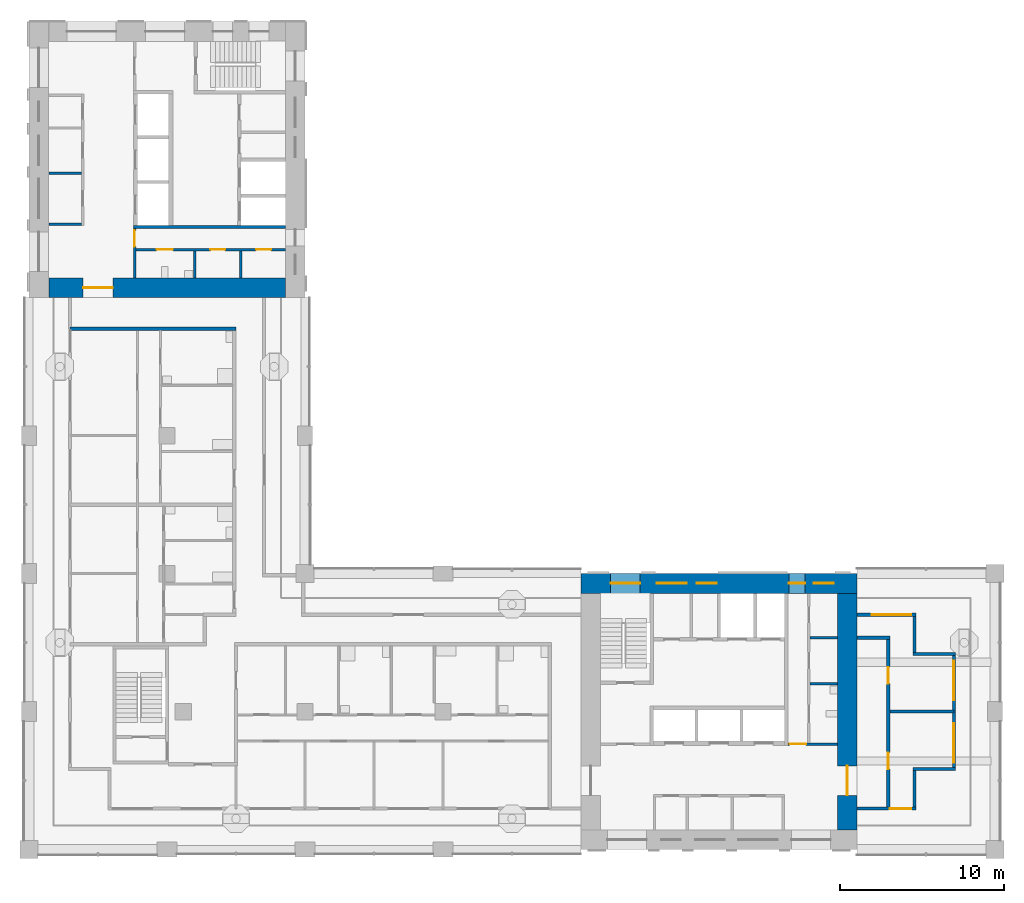
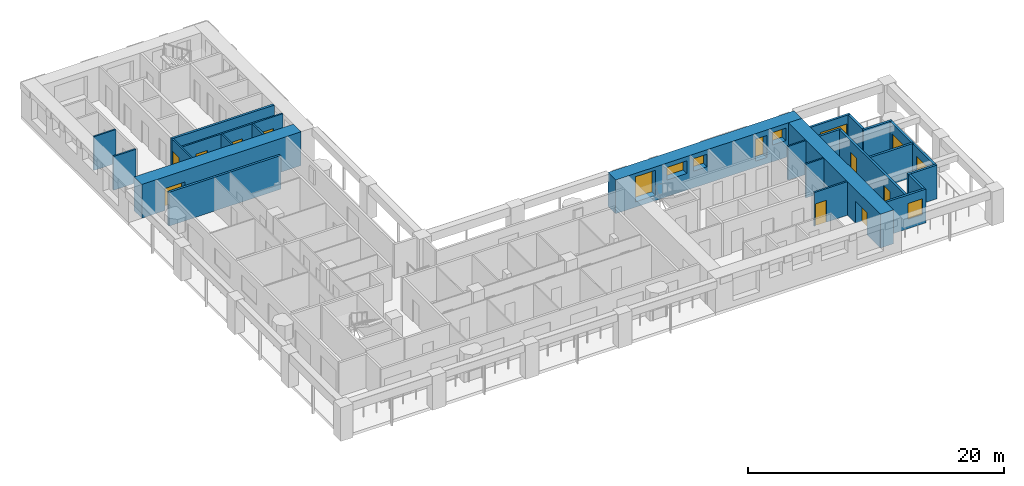
# One storey, part 5 of 13: 24 walls, 10 doors, 8 windows, 18 openings.
"""IFC4 building model written with IfcOpenShell, lengths in metres."""

from ifc_helpers import new_model, si_unit, direction, frame, frame_2d, origin, place, context, subcontext, project, spatial, rectangle, extrude, material, layer, layer_set, type_object, element, fill, save


model = new_model("IFC4")

# Units and contexts
model_context = context("Model", 3, precision=1e-05, world=origin(), true_north=direction((0.0, 1.0)))
body_context = subcontext(model_context, "Body", "Model", "MODEL_VIEW")
ifc_project = project(units=[si_unit("LENGTHUNIT", "METRE"), si_unit("AREAUNIT", "SQUARE_METRE"), si_unit("VOLUMEUNIT", "CUBIC_METRE"), si_unit("PLANEANGLEUNIT", "RADIAN"), si_unit("MASSUNIT", "GRAM", prefix="KILO")], contexts=[model_context])

# Site, building, storey
site_placement = place(None, origin())
site = spatial("IfcSite", under=ifc_project, at=site_placement, CompositionType="ELEMENT")
building_placement = place(site_placement, origin())
building = spatial("IfcBuilding", under=site, at=building_placement, Name="Vermilion Gate Residences", CompositionType="ELEMENT")
storey_placement = place(building_placement, frame((0.0, 0.0, 147.699951171875)))
storey = spatial("IfcBuildingStorey", under=building, at=storey_placement, Name="L37", CompositionType="ELEMENT", Elevation=147.699951171875)

# Wall, opening, door
ifc_material_1 = material(Name="Masonry blockwork", Category="masonry")
ifc_layer_1 = layer(ifc_material_1, 0.14990234375)
ifc_layer_set_1 = layer_set([ifc_layer_1], Name="BLOCKWORK PARTITION 150 EI 120")
wall_type_1 = type_object("IfcWallType", Name="BLOCKWORK PARTITION 150 EI 120", PredefinedType="PARTITIONING", material=ifc_layer_set_1)
wall_1_placement = place(storey_placement, frame((54.60009765625, 14.824951171875, 0.0), z_axis=(0.0, 0.0, 1.0), x_axis=(1.0, 0.0, 0.0)))
wall_1 = element("IfcWall", 1, at=wall_1_placement, inside=storey, type_object=wall_type_1, Name="Core room partition A37-ES-S", PredefinedType="PARTITIONING", context=body_context, shape_type="SweptSolid", body=[
    extrude(rectangle(XDim=3.0, YDim=0.14990234375, at=frame_2d((1.5, 0.0))), origin(), (0.0, 0.0, 1.0), 3.219970703125),
])
opening_1_placement = place(wall_1_placement, frame((0.10009765625, 0.0, 0.0)))
opening_1 = element("IfcOpeningElement", 2, at=opening_1_placement, cuts=wall_1, Name="Opening DK37015", PredefinedType="OPENING", context=body_context, shape_type="SweptSolid", body=[
    extrude(rectangle(XDim=1.0, YDim=2.10009765625, at=frame_2d((0.5, 1.050048828125))), frame((0.0, 0.0849609375, 0.0), z_axis=(0.0, -1.0, 0.0), x_axis=(1.0, 0.0, 0.0)), (0.0, 0.0, 1.0), 0.169921875),
])
ifc_material_2 = material(Name="Steel", Category="steel")
door_type_1 = type_object("IfcDoorType", Name="FIRE DOOR FD60 1000 X 2100", OperationType="SINGLE_SWING_LEFT", PredefinedType="DOOR", material=ifc_material_2)
door_1_placement = place(opening_1_placement, frame((1.0, 0.0, 0.0), z_axis=(0.0, 0.0, 1.0), x_axis=(-1.0, 0.0, 0.0)))
door_1 = element("IfcDoor", 3, at=door_1_placement, inside=storey, type_object=door_type_1, Name="Service corridor door A37", OperationType="SINGLE_SWING_LEFT", OverallHeight=2.10009765625, OverallWidth=1.0, PredefinedType="DOOR", context=body_context, shape_type="SweptSolid", body=[
    extrude(rectangle(XDim=1.0, YDim=2.10009765625, at=frame_2d((0.5, 1.050048828125))), frame((0.0, 0.02490234375, 0.0), z_axis=(0.0, -1.0, 0.0), x_axis=(1.0, 0.0, 0.0)), (0.0, 0.0, 1.0), 0.050048828125),
])
fill(opening_1, door_1)

# Walls
for number, where, z_axis, x_axis, name in (
    (4, (55.949951171875, 18.4951171875, 0.0), (0.0, 0.0, 1.0), (1.0, 0.0, 0.0), "Core room partition A37-ES-P0"),
    (5, (55.949951171875, 21.284912109375, 0.0), (0.0, 0.0, 1.0), (1.0, 0.0, 0.0), "Core room partition A37-ES-P1"),
):
    element("IfcWall", number, at=place(storey_placement, frame(where, z_axis=z_axis, x_axis=x_axis)), inside=storey, type_object=wall_type_1, Name=name, PredefinedType="PARTITIONING", context=body_context, shape_type="SweptSolid", body=[
        extrude(rectangle(XDim=1.650146484375, YDim=0.14990234375, at=frame_2d((0.8251953125, 0.0))), origin(), (0.0, 0.0, 1.0), 3.219970703125),
    ])
for number, where, z_axis, x_axis, name in (
    (6, (9.60009765625, 46.47509765625, 0.0), (0.0, 0.0, 1.0), (1.0, 0.0, 0.0), "Core room partition B37-RW-E"),
    (7, (9.60009765625, 49.5849609375, 0.0), (0.0, 0.0, 1.0), (1.0, 0.0, 0.0), "Core room partition B37-SR-P1"),
):
    element("IfcWall", number, at=place(storey_placement, frame(where, z_axis=z_axis, x_axis=x_axis)), inside=storey, type_object=wall_type_1, Name=name, PredefinedType="PARTITIONING", context=body_context, shape_type="SweptSolid", body=[
        extrude(rectangle(XDim=2.0, YDim=0.14990234375, at=frame_2d((1.0, 0.0))), origin(), (0.0, 0.0, 1.0), 3.219970703125),
    ])

# Wall, opening, door
wall_2_placement = place(storey_placement, frame((14.824951171875, 46.199951171875, 0.0), z_axis=(0.0, 0.0, 1.0), x_axis=(0.0, -1.0, 0.0)))
wall_2 = element("IfcWall", 8, at=wall_2_placement, inside=storey, type_object=wall_type_1, Name="Core room partition B37-ES-S", PredefinedType="PARTITIONING", context=body_context, shape_type="SweptSolid", body=[
    extrude(rectangle(XDim=3.0, YDim=0.14990234375, at=frame_2d((1.5, 0.0))), origin(), (0.0, 0.0, 1.0), 3.219970703125),
])
opening_2_placement = place(wall_2_placement, frame((0.10009765625, 0.0, 0.0)))
opening_2 = element("IfcOpeningElement", 9, at=opening_2_placement, cuts=wall_2, Name="Opening DK37114", PredefinedType="OPENING", context=body_context, shape_type="SweptSolid", body=[
    extrude(rectangle(XDim=1.0, YDim=2.10009765625, at=frame_2d((0.5, 1.050048828125))), frame((0.0, 0.0849609375, 0.0), z_axis=(0.0, -1.0, 0.0), x_axis=(1.0, 0.0, 0.0)), (0.0, 0.0, 1.0), 0.169921875),
])
door_2_placement = place(opening_2_placement, frame((1.0, 0.0, 0.0), z_axis=(0.0, 0.0, 1.0), x_axis=(-1.0, 0.0, 0.0)))
door_2 = element("IfcDoor", 10, at=door_2_placement, inside=storey, type_object=door_type_1, Name="Service corridor door B37", OperationType="SINGLE_SWING_LEFT", OverallHeight=2.10009765625, OverallWidth=1.0, PredefinedType="DOOR", context=body_context, shape_type="SweptSolid", body=[
    extrude(rectangle(XDim=1.0, YDim=2.10009765625, at=frame_2d((0.5, 1.050048828125))), frame((0.0, 0.02490234375, 0.0), z_axis=(0.0, -1.0, 0.0), x_axis=(1.0, 0.0, 0.0)), (0.0, 0.0, 1.0), 0.050048828125),
])
fill(opening_2, door_2)

# Walls
for number, where, z_axis, x_axis, name in (
    (11, (18.4951171875, 44.85009765625, 0.0), (0.0, 0.0, 1.0), (0.0, -1.0, 0.0), "Core room partition B37-ES-P0"),
    (12, (21.284912109375, 44.85009765625, 0.0), (0.0, 0.0, 1.0), (0.0, -1.0, 0.0), "Core room partition B37-ES-P1"),
):
    element("IfcWall", number, at=place(storey_placement, frame(where, z_axis=z_axis, x_axis=x_axis)), inside=storey, type_object=wall_type_1, Name=name, PredefinedType="PARTITIONING", context=body_context, shape_type="SweptSolid", body=[
        extrude(rectangle(XDim=1.650146484375, YDim=0.14990234375, at=frame_2d((0.8251953125, 0.0))), origin(), (0.0, 0.0, 1.0), 3.219970703125),
    ])

# Wall, openings, doors
wall_3_placement = place(storey_placement, frame((14.89990234375, 44.925048828125, 0.0), z_axis=(0.0, 0.0, 1.0), x_axis=(1.0, 0.0, 0.0)))
wall_3 = element("IfcWall", 13, at=wall_3_placement, inside=storey, type_object=wall_type_1, Name="Core room partition B37-ES-W", PredefinedType="PARTITIONING", context=body_context, shape_type="SweptSolid", body=[
    extrude(rectangle(XDim=9.10009765625, YDim=0.14990234375, at=frame_2d((4.550048828125, 0.0))), origin(), (0.0, 0.0, 1.0), 3.219970703125),
])
opening_3_placement = place(wall_3_placement, frame((1.260009765625, 0.0, 0.0)))
opening_3 = element("IfcOpeningElement", 14, at=opening_3_placement, cuts=wall_3, Name="Opening DK37115", PredefinedType="OPENING", context=body_context, shape_type="SweptSolid", body=[
    extrude(rectangle(XDim=1.0, YDim=2.10009765625, at=frame_2d((0.5, 1.050048828125))), frame((0.0, 0.0849609375, 0.0), z_axis=(0.0, -1.0, 0.0), x_axis=(1.0, 0.0, 0.0)), (0.0, 0.0, 1.0), 0.169921875),
])
opening_4_placement = place(wall_3_placement, frame((4.5400390625, 0.0, 0.0)))
opening_4 = element("IfcOpeningElement", 15, at=opening_4_placement, cuts=wall_3, Name="Opening DK37116", PredefinedType="OPENING", context=body_context, shape_type="SweptSolid", body=[
    extrude(rectangle(XDim=0.89990234375, YDim=2.10009765625, at=frame_2d((0.449951171875, 1.050048828125))), frame((0.0, 0.0849609375, 0.0), z_axis=(0.0, -1.0, 0.0), x_axis=(1.0, 0.0, 0.0)), (0.0, 0.0, 1.0), 0.169921875),
])
opening_5_placement = place(wall_3_placement, frame((7.330078125, 0.0, 0.0)))
opening_5 = element("IfcOpeningElement", 16, at=opening_5_placement, cuts=wall_3, Name="Opening DK37117", PredefinedType="OPENING", context=body_context, shape_type="SweptSolid", body=[
    extrude(rectangle(XDim=0.89990234375, YDim=2.10009765625, at=frame_2d((0.449951171875, 1.050048828125))), frame((0.0, 0.0849609375, 0.0), z_axis=(0.0, -1.0, 0.0), x_axis=(1.0, 0.0, 0.0)), (0.0, 0.0, 1.0), 0.169921875),
])
door_3_placement = place(opening_3_placement, frame((1.0, 0.0, 0.0), z_axis=(0.0, 0.0, 1.0), x_axis=(-1.0, 0.0, 0.0)))
door_3 = element("IfcDoor", 17, at=door_3_placement, inside=storey, type_object=door_type_1, Name="Accessible WC B37", OperationType="SINGLE_SWING_RIGHT", OverallHeight=2.10009765625, OverallWidth=1.0, PredefinedType="DOOR", context=body_context, shape_type="SweptSolid", body=[
    extrude(rectangle(XDim=1.0, YDim=2.10009765625, at=frame_2d((0.5, 1.050048828125))), frame((0.0, 0.02490234375, 0.0), z_axis=(0.0, -1.0, 0.0), x_axis=(1.0, 0.0, 0.0)), (0.0, 0.0, 1.0), 0.050048828125),
])
fill(opening_3, door_3)
ifc_material_3 = material(Name="Steel", Category="steel")
door_type_2 = type_object("IfcDoorType", Name="SERVICE ROOM DOOR FD60 900 X 2100", OperationType="SINGLE_SWING_LEFT", PredefinedType="DOOR", material=ifc_material_3)
door_4_placement = place(opening_4_placement, frame((0.89990234375, 0.0, 0.0), z_axis=(0.0, 0.0, 1.0), x_axis=(-1.0, 0.0, 0.0)))
door_4 = element("IfcDoor", 18, at=door_4_placement, inside=storey, type_object=door_type_2, Name="Refuse room B37", OperationType="SINGLE_SWING_RIGHT", OverallHeight=2.10009765625, OverallWidth=0.89990234375, PredefinedType="DOOR", context=body_context, shape_type="SweptSolid", body=[
    extrude(rectangle(XDim=0.89990234375, YDim=2.10009765625, at=frame_2d((0.449951171875, 1.050048828125))), frame((0.0, 0.02490234375, 0.0), z_axis=(0.0, -1.0, 0.0), x_axis=(1.0, 0.0, 0.0)), (0.0, 0.0, 1.0), 0.050048828125),
])
fill(opening_4, door_4)
door_5_placement = place(opening_5_placement, frame((0.89990234375, 0.0, 0.0), z_axis=(0.0, 0.0, 1.0), x_axis=(-1.0, 0.0, 0.0)))
door_5 = element("IfcDoor", 19, at=door_5_placement, inside=storey, type_object=door_type_2, Name="Parcel room B37", OperationType="SINGLE_SWING_LEFT", OverallHeight=2.10009765625, OverallWidth=0.89990234375, PredefinedType="DOOR", context=body_context, shape_type="SweptSolid", body=[
    extrude(rectangle(XDim=0.89990234375, YDim=2.10009765625, at=frame_2d((0.449951171875, 1.050048828125))), frame((0.0, 0.02490234375, 0.0), z_axis=(0.0, -1.0, 0.0), x_axis=(1.0, 0.0, 0.0)), (0.0, 0.0, 1.0), 0.050048828125),
])
fill(opening_5, door_5)

# Wall, opening, window
ifc_material_4 = material(Name="Insulated steel stud wall with terracotta rainscreen", Category="masonry")
ifc_layer_2 = layer(ifc_material_4, 0.199951171875)
ifc_layer_set_2 = layer_set([ifc_layer_2], Name="EXTERNAL WALL 200 TERRACOTTA RAINSCREEN")
wall_type_2 = type_object("IfcWallType", Name="EXTERNAL WALL 200 TERRACOTTA RAINSCREEN", PredefinedType="SOLIDWALL", material=ifc_layer_set_2)
wall_4_placement = place(storey_placement, frame((58.800048828125, 10.89990234375, 0.0), z_axis=(0.0, 0.0, 1.0), x_axis=(1.0, 0.0, 0.0)))
wall_4 = element("IfcWall", 20, at=wall_4_placement, inside=storey, type_object=wall_type_2, Name="External wall", PredefinedType="SOLIDWALL", context=body_context, shape_type="SweptSolid", body=[
    extrude(rectangle(XDim=3.599853515625, YDim=0.199951171875, at=frame_2d((1.7998046875, 0.0))), origin(), (0.0, 0.0, 1.0), 3.219970703125),
])
opening_6_placement = place(wall_4_placement, frame((2.0, 0.0, 0.89990234375)))
opening_6 = element("IfcOpeningElement", 21, at=opening_6_placement, cuts=wall_4, Name="Opening WE37015", PredefinedType="OPENING", context=body_context, shape_type="SweptSolid", body=[
    extrude(rectangle(XDim=1.300048828125, YDim=1.5, at=frame_2d((0.64990234375, 0.75))), frame((0.0, 0.10986328125, 0.0), z_axis=(0.0, -1.0, 0.0), x_axis=(1.0, 0.0, 0.0)), (0.0, 0.0, 1.0), 0.219970703125),
])
ifc_material_5 = material(Name="Aluminium and clear glass", Category="aluminium")
window_type_1 = type_object("IfcWindowType", Name="WINDOW 1300 X 1500", PartitioningType="SINGLE_PANEL", PredefinedType="WINDOW", material=ifc_material_5)
window_1_placement = place(opening_6_placement, origin())
window_1 = element("IfcWindow", 22, at=window_1_placement, inside=storey, type_object=window_type_1, Name="Window", OverallHeight=1.5, OverallWidth=1.300048828125, PartitioningType="SINGLE_PANEL", PredefinedType="WINDOW", context=body_context, shape_type="SweptSolid", body=[
    extrude(rectangle(XDim=1.300048828125, YDim=1.5, at=frame_2d((0.64990234375, 0.75))), frame((0.0, 0.030029296875, 0.0), z_axis=(0.0, -1.0, 0.0), x_axis=(1.0, 0.0, 0.0)), (0.0, 0.0, 1.0), 0.06005859375),
])
fill(opening_6, window_1)

# Walls
wall_5_placement = place(storey_placement, frame((62.300048828125, 11.0, 0.0), z_axis=(0.0, 0.0, 1.0), x_axis=(0.0, 1.0, 0.0)))
element("IfcWall", 23, at=wall_5_placement, inside=storey, type_object=wall_type_2, Name="External wall", PredefinedType="SOLIDWALL", context=body_context, shape_type="SweptSolid", body=[
    extrude(rectangle(XDim=2.199951171875, YDim=0.199951171875, at=frame_2d((1.10009765625, 0.0))), origin(), (0.0, 0.0, 1.0), 3.219970703125),
])
wall_6_placement = place(storey_placement, frame((62.199951171875, 13.300048828125, 0.0), z_axis=(0.0, 0.0, 1.0), x_axis=(1.0, 0.0, 0.0)))
element("IfcWall", 24, at=wall_6_placement, inside=storey, type_object=wall_type_2, Name="External wall", PredefinedType="SOLIDWALL", context=body_context, shape_type="SweptSolid", body=[
    extrude(rectangle(XDim=2.60009765625, YDim=0.199951171875, at=frame_2d((1.300048828125, 0.0))), origin(), (0.0, 0.0, 1.0), 3.219970703125),
])

# Wall, openings, door, window
wall_7_placement = place(storey_placement, frame((64.699951171875, 13.39990234375, 0.0), z_axis=(0.0, 0.0, 1.0), x_axis=(0.0, 1.0, 0.0)))
wall_7 = element("IfcWall", 25, at=wall_7_placement, inside=storey, type_object=wall_type_2, Name="External wall", PredefinedType="SOLIDWALL", context=body_context, shape_type="SweptSolid", body=[
    extrude(rectangle(XDim=6.800048828125, YDim=0.199951171875, at=frame_2d((3.39990234375, 0.0))), origin(), (0.0, 0.0, 1.0), 3.219970703125),
])
opening_7_placement = place(wall_7_placement, frame((0.300048828125, 0.0, 0.89990234375)))
opening_7 = element("IfcOpeningElement", 26, at=opening_7_placement, cuts=wall_7, Name="Opening WE37016", PredefinedType="OPENING", context=body_context, shape_type="SweptSolid", body=[
    extrude(rectangle(XDim=2.39990234375, YDim=1.5, at=frame_2d((1.199951171875, 0.75))), frame((0.0, 0.10986328125, 0.0), z_axis=(0.0, -1.0, 0.0), x_axis=(1.0, 0.0, 0.0)), (0.0, 0.0, 1.0), 0.219970703125),
])
opening_8_placement = place(wall_7_placement, frame((4.10009765625, 0.0, 0.0)))
opening_8 = element("IfcOpeningElement", 27, at=opening_8_placement, cuts=wall_7, Name="Opening DE37019", PredefinedType="OPENING", context=body_context, shape_type="SweptSolid", body=[
    extrude(rectangle(XDim=2.39990234375, YDim=2.199951171875, at=frame_2d((1.199951171875, 1.10009765625))), frame((0.0, 0.10986328125, 0.0), z_axis=(0.0, -1.0, 0.0), x_axis=(1.0, 0.0, 0.0)), (0.0, 0.0, 1.0), 0.219970703125),
])
ifc_material_6 = material(Name="Aluminium and clear glass", Category="aluminium")
door_type_3 = type_object("IfcDoorType", Name="SLIDING GLAZED DOOR 2400 X 2200", OperationType="DOUBLE_DOOR_SLIDING", PredefinedType="DOOR", material=ifc_material_6)
door_6_placement = place(opening_8_placement, origin())
door_6 = element("IfcDoor", 28, at=door_6_placement, inside=storey, type_object=door_type_3, Name="Loggia sliding door", OperationType="DOUBLE_DOOR_SLIDING", OverallHeight=2.199951171875, OverallWidth=2.39990234375, PredefinedType="DOOR", context=body_context, shape_type="SweptSolid", body=[
    extrude(rectangle(XDim=2.39990234375, YDim=2.199951171875, at=frame_2d((1.199951171875, 1.10009765625))), frame((0.0, 0.02490234375, 0.0), z_axis=(0.0, -1.0, 0.0), x_axis=(1.0, 0.0, 0.0)), (0.0, 0.0, 1.0), 0.050048828125),
])
fill(opening_8, door_6)
ifc_material_7 = material(Name="Aluminium and clear glass", Category="aluminium")
window_type_2 = type_object("IfcWindowType", Name="WINDOW 2400 X 1500", PartitioningType="SINGLE_PANEL", PredefinedType="WINDOW", material=ifc_material_7)
window_2_placement = place(opening_7_placement, origin())
window_2 = element("IfcWindow", 29, at=window_2_placement, inside=storey, type_object=window_type_2, Name="Window", OverallHeight=1.5, OverallWidth=2.39990234375, PartitioningType="SINGLE_PANEL", PredefinedType="WINDOW", context=body_context, shape_type="SweptSolid", body=[
    extrude(rectangle(XDim=2.39990234375, YDim=1.5, at=frame_2d((1.199951171875, 0.75))), frame((0.0, 0.030029296875, 0.0), z_axis=(0.0, -1.0, 0.0), x_axis=(1.0, 0.0, 0.0)), (0.0, 0.0, 1.0), 0.06005859375),
])
fill(opening_7, window_2)

# Walls
wall_8_placement = place(storey_placement, frame((64.800048828125, 20.300048828125, 0.0), z_axis=(0.0, 0.0, 1.0), x_axis=(-1.0, 0.0, 0.0)))
element("IfcWall", 30, at=wall_8_placement, inside=storey, type_object=wall_type_2, Name="External wall", PredefinedType="SOLIDWALL", context=body_context, shape_type="SweptSolid", body=[
    extrude(rectangle(XDim=2.60009765625, YDim=0.199951171875, at=frame_2d((1.300048828125, 0.0))), origin(), (0.0, 0.0, 1.0), 3.219970703125),
])
wall_9_placement = place(storey_placement, frame((62.300048828125, 20.39990234375, 0.0), z_axis=(0.0, 0.0, 1.0), x_axis=(0.0, 1.0, 0.0)))
element("IfcWall", 31, at=wall_9_placement, inside=storey, type_object=wall_type_2, Name="External wall", PredefinedType="SOLIDWALL", context=body_context, shape_type="SweptSolid", body=[
    extrude(rectangle(XDim=2.2001953125, YDim=0.199951171875, at=frame_2d((1.10009765625, 0.0))), origin(), (0.0, 0.0, 1.0), 3.219970703125),
])

# Wall, opening, window
wall_10_placement = place(storey_placement, frame((62.39990234375, 22.699951171875, 0.0), z_axis=(0.0, 0.0, 1.0), x_axis=(-1.0, 0.0, 0.0)))
wall_10 = element("IfcWall", 32, at=wall_10_placement, inside=storey, type_object=wall_type_2, Name="External wall", PredefinedType="SOLIDWALL", context=body_context, shape_type="SweptSolid", body=[
    extrude(rectangle(XDim=3.599853515625, YDim=0.199951171875, at=frame_2d((1.7998046875, 0.0))), origin(), (0.0, 0.0, 1.0), 3.219970703125),
])
opening_9_placement = place(wall_10_placement, frame((0.300048828125, 0.0, 0.89990234375)))
opening_9 = element("IfcOpeningElement", 33, at=opening_9_placement, cuts=wall_10, Name="Opening WE37018", PredefinedType="OPENING", context=body_context, shape_type="SweptSolid", body=[
    extrude(rectangle(XDim=2.39990234375, YDim=1.5, at=frame_2d((1.199951171875, 0.75))), frame((0.0, 0.10986328125, 0.0), z_axis=(0.0, -1.0, 0.0), x_axis=(1.0, 0.0, 0.0)), (0.0, 0.0, 1.0), 0.219970703125),
])
window_3_placement = place(opening_9_placement, origin())
window_3 = element("IfcWindow", 34, at=window_3_placement, inside=storey, type_object=window_type_2, Name="Window", OverallHeight=1.5, OverallWidth=2.39990234375, PartitioningType="SINGLE_PANEL", PredefinedType="WINDOW", context=body_context, shape_type="SweptSolid", body=[
    extrude(rectangle(XDim=2.39990234375, YDim=1.5, at=frame_2d((1.199951171875, 0.75))), frame((0.0, 0.030029296875, 0.0), z_axis=(0.0, -1.0, 0.0), x_axis=(1.0, 0.0, 0.0)), (0.0, 0.0, 1.0), 0.06005859375),
])
fill(opening_9, window_3)

# Walls
ifc_material_8 = material(Name="Fire-rated plasterboard on steel studs", Category="steel")
ifc_layer_3 = layer(ifc_material_8, 0.199951171875)
ifc_layer_set_3 = layer_set([ifc_layer_3], Name="PARTY WALL 200 EI 120")
wall_type_3 = type_object("IfcWallType", Name="PARTY WALL 200 EI 120", PredefinedType="PARTITIONING", material=ifc_layer_set_3)
wall_11_placement = place(storey_placement, frame((60.800048828125, 16.800048828125, 0.0), z_axis=(0.0, 0.0, 1.0), x_axis=(1.0, 0.0, 0.0)))
element("IfcWall", 35, at=wall_11_placement, inside=storey, type_object=wall_type_3, Name="Party and corridor wall", PredefinedType="PARTITIONING", context=body_context, shape_type="SweptSolid", body=[
    extrude(rectangle(XDim=3.89990234375, YDim=0.199951171875, at=frame_2d((1.949951171875, 0.0))), origin(), (0.0, 0.0, 1.0), 3.219970703125),
])
wall_12_placement = place(storey_placement, frame((58.800048828125, 21.300048828125, 0.0), z_axis=(0.0, 0.0, 1.0), x_axis=(1.0, 0.0, 0.0)))
element("IfcWall", 36, at=wall_12_placement, inside=storey, type_object=wall_type_3, Name="Party and corridor wall", PredefinedType="PARTITIONING", context=body_context, shape_type="SweptSolid", body=[
    extrude(rectangle(XDim=2.0, YDim=0.199951171875, at=frame_2d((1.0, 0.0))), origin(), (0.0, 0.0, 1.0), 3.219970703125),
])
wall_13_placement = place(storey_placement, frame((10.89990234375, 40.10009765625, 0.0), z_axis=(0.0, 0.0, 1.0), x_axis=(1.0, 0.0, 0.0)))
element("IfcWall", 37, at=wall_13_placement, inside=storey, type_object=wall_type_3, Name="Party and corridor wall", PredefinedType="PARTITIONING", context=body_context, shape_type="SweptSolid", body=[
    extrude(rectangle(XDim=10.10009765625, YDim=0.199951171875, at=frame_2d((5.050048828125, 0.0))), origin(), (0.0, 0.0, 1.0), 3.219970703125),
])

# Wall, openings, doors
wall_14_placement = place(storey_placement, frame((60.699951171875, 10.89990234375, 0.0), z_axis=(0.0, 0.0, 1.0), x_axis=(0.0, 1.0, 0.0)))
wall_14 = element("IfcWall", 38, at=wall_14_placement, inside=storey, type_object=wall_type_3, Name="Party and corridor wall", PredefinedType="PARTITIONING", context=body_context, shape_type="SweptSolid", body=[
    extrude(rectangle(XDim=10.300048828125, YDim=0.199951171875, at=frame_2d((5.14990234375, 0.0))), origin(), (0.0, 0.0, 1.0), 3.219970703125),
])
opening_10_placement = place(wall_14_placement, frame((2.39990234375, 0.0, 0.0)))
opening_10 = element("IfcOpeningElement", 39, at=opening_10_placement, cuts=wall_14, Name="Opening DA37026", PredefinedType="OPENING", context=body_context, shape_type="SweptSolid", body=[
    extrude(rectangle(XDim=1.0, YDim=2.10009765625, at=frame_2d((0.5, 1.050048828125))), frame((0.0, 0.10986328125, 0.0), z_axis=(0.0, -1.0, 0.0), x_axis=(1.0, 0.0, 0.0)), (0.0, 0.0, 1.0), 0.219970703125),
])
opening_11_placement = place(wall_14_placement, frame((7.60009765625, 0.0, 0.0)))
opening_11 = element("IfcOpeningElement", 40, at=opening_11_placement, cuts=wall_14, Name="Opening DA37027", PredefinedType="OPENING", context=body_context, shape_type="SweptSolid", body=[
    extrude(rectangle(XDim=1.0, YDim=2.10009765625, at=frame_2d((0.5, 1.050048828125))), frame((0.0, 0.10986328125, 0.0), z_axis=(0.0, -1.0, 0.0), x_axis=(1.0, 0.0, 0.0)), (0.0, 0.0, 1.0), 0.219970703125),
])
ifc_material_9 = material(Name="Steel", Category="steel")
door_type_4 = type_object("IfcDoorType", Name="ENTRANCE DOOR 1000 X 2100 FD30", OperationType="SINGLE_SWING_LEFT", PredefinedType="DOOR", material=ifc_material_9)
door_7_placement = place(opening_10_placement, frame((1.0, 0.0, 0.0), z_axis=(0.0, 0.0, 1.0), x_axis=(-1.0, 0.0, 0.0)))
door_7 = element("IfcDoor", 41, at=door_7_placement, inside=storey, type_object=door_type_4, Name="Entrance door", OperationType="SINGLE_SWING_RIGHT", OverallHeight=2.10009765625, OverallWidth=1.0, PredefinedType="DOOR", context=body_context, shape_type="SweptSolid", body=[
    extrude(rectangle(XDim=1.0, YDim=2.10009765625, at=frame_2d((0.5, 1.050048828125))), frame((0.0, 0.02490234375, 0.0), z_axis=(0.0, -1.0, 0.0), x_axis=(1.0, 0.0, 0.0)), (0.0, 0.0, 1.0), 0.050048828125),
])
fill(opening_10, door_7)
door_8_placement = place(opening_11_placement, frame((1.0, 0.0, 0.0), z_axis=(0.0, 0.0, 1.0), x_axis=(-1.0, 0.0, 0.0)))
door_8 = element("IfcDoor", 42, at=door_8_placement, inside=storey, type_object=door_type_4, Name="Entrance door", OperationType="SINGLE_SWING_RIGHT", OverallHeight=2.10009765625, OverallWidth=1.0, PredefinedType="DOOR", context=body_context, shape_type="SweptSolid", body=[
    extrude(rectangle(XDim=1.0, YDim=2.10009765625, at=frame_2d((0.5, 1.050048828125))), frame((0.0, 0.02490234375, 0.0), z_axis=(0.0, -1.0, 0.0), x_axis=(1.0, 0.0, 0.0)), (0.0, 0.0, 1.0), 0.050048828125),
])
fill(opening_11, door_8)

# Wall
ifc_material_10 = material(Name="Concrete C60", Category="concrete")
ifc_layer_4 = layer(ifc_material_10, 0.199951171875)
ifc_layer_set_4 = layer_set([ifc_layer_4], Name="RC CORE INTERNAL WALL 200 C60")
wall_type_4 = type_object("IfcWallType", Name="RC CORE INTERNAL WALL 200 C60", PredefinedType="SHEAR", material=ifc_layer_set_4)
wall_15_placement = place(storey_placement, frame((14.75, 46.300048828125, 0.0), z_axis=(0.0, 0.0, 1.0), x_axis=(1.0, 0.0, 0.0)))
element("IfcWall", 43, at=wall_15_placement, inside=storey, type_object=wall_type_4, Name="Core internal wall B37-EDIV", PredefinedType="SHEAR", context=body_context, shape_type="SweptSolid", body=[
    extrude(rectangle(XDim=9.25, YDim=0.199951171875, at=frame_2d((4.625, 0.0))), origin(), (0.0, 0.0, 1.0), 3.219970703125),
])

# Wall, opening, door
ifc_material_11 = material(Name="Concrete C60", Category="concrete")
ifc_layer_5 = layer(ifc_material_11, 1.199951171875)
ifc_layer_set_5 = layer_set([ifc_layer_5], Name="RC CORE WALL 1200 C60")
wall_type_5 = type_object("IfcWallType", Name="RC CORE WALL 1200 C60", PredefinedType="SHEAR", material=ifc_layer_set_5)
wall_16_placement = place(storey_placement, frame((58.199951171875, 9.60009765625, 0.0), z_axis=(0.0, 0.0, 1.0), x_axis=(0.0, 1.0, 0.0)))
wall_16 = element("IfcWall", 44, at=wall_16_placement, inside=storey, type_object=wall_type_5, Name="Core wall A37-OUT-BK", PredefinedType="SHEAR", context=body_context, shape_type="SweptSolid", body=[
    extrude(rectangle(XDim=14.39990234375, YDim=1.199951171875, at=frame_2d((7.199951171875, 0.0))), origin(), (0.0, 0.0, 1.0), 3.219970703125),
])
opening_12_placement = place(wall_16_placement, frame((2.10009765625, 0.0, 0.0)))
opening_12 = element("IfcOpeningElement", 45, at=opening_12_placement, cuts=wall_16, Name="Opening DK37002", PredefinedType="OPENING", context=body_context, shape_type="SweptSolid", body=[
    extrude(rectangle(XDim=1.800048828125, YDim=2.10009765625, at=frame_2d((0.89990234375, 1.050048828125))), frame((0.0, 0.60986328125, 0.0), z_axis=(0.0, -1.0, 0.0), x_axis=(1.0, 0.0, 0.0)), (0.0, 0.0, 1.0), 1.219970703125),
])
ifc_material_12 = material(Name="Steel", Category="steel")
door_type_5 = type_object("IfcDoorType", Name="CORE LOBBY DOOR FD60 1800 X 2100", OperationType="DOUBLE_DOOR_SINGLE_SWING", PredefinedType="DOOR", material=ifc_material_12)
door_9_placement = place(opening_12_placement, origin())
door_9 = element("IfcDoor", 46, at=door_9_placement, inside=storey, type_object=door_type_5, Name="Core lobby door A37", OperationType="DOUBLE_DOOR_SINGLE_SWING", OverallHeight=2.10009765625, OverallWidth=1.800048828125, PredefinedType="DOOR", context=body_context, shape_type="SweptSolid", body=[
    extrude(rectangle(XDim=1.800048828125, YDim=2.10009765625, at=frame_2d((0.89990234375, 1.050048828125))), frame((0.0, 0.02490234375, 0.0), z_axis=(0.0, -1.0, 0.0), x_axis=(1.0, 0.0, 0.0)), (0.0, 0.0, 1.0), 0.050048828125),
])
fill(opening_12, door_9)

wall_17_placement = place(storey_placement, frame((9.60009765625, 42.60009765625, 0.0), z_axis=(0.0, 0.0, 1.0), x_axis=(1.0, 0.0, 0.0)))
wall_17 = element("IfcWall", 47, at=wall_17_placement, inside=storey, type_object=wall_type_5, Name="Core wall B37-OUT-BK", PredefinedType="SHEAR", context=body_context, shape_type="SweptSolid", body=[
    extrude(rectangle(XDim=14.39990234375, YDim=1.199951171875, at=frame_2d((7.199951171875, 0.0))), origin(), (0.0, 0.0, 1.0), 3.219970703125),
])
opening_13_placement = place(wall_17_placement, frame((2.10009765625, 0.0, 0.0)))
opening_13 = element("IfcOpeningElement", 48, at=opening_13_placement, cuts=wall_17, Name="Opening DK37101", PredefinedType="OPENING", context=body_context, shape_type="SweptSolid", body=[
    extrude(rectangle(XDim=1.800048828125, YDim=2.10009765625, at=frame_2d((0.89990234375, 1.050048828125))), frame((0.0, 0.60986328125, 0.0), z_axis=(0.0, -1.0, 0.0), x_axis=(1.0, 0.0, 0.0)), (0.0, 0.0, 1.0), 1.219970703125),
])
door_10_placement = place(opening_13_placement, frame((1.800048828125, 0.0, 0.0), z_axis=(0.0, 0.0, 1.0), x_axis=(-1.0, 0.0, 0.0)))
door_10 = element("IfcDoor", 49, at=door_10_placement, inside=storey, type_object=door_type_5, Name="Core lobby door B37", OperationType="DOUBLE_DOOR_SINGLE_SWING", OverallHeight=2.10009765625, OverallWidth=1.800048828125, PredefinedType="DOOR", context=body_context, shape_type="SweptSolid", body=[
    extrude(rectangle(XDim=1.800048828125, YDim=2.10009765625, at=frame_2d((0.89990234375, 1.050048828125))), frame((0.0, 0.02490234375, 0.0), z_axis=(0.0, -1.0, 0.0), x_axis=(1.0, 0.0, 0.0)), (0.0, 0.0, 1.0), 0.050048828125),
])
fill(opening_13, door_10)

# Wall, openings, windows
ifc_material_13 = material(Name="Concrete C60 red-oxide pigmented", Category="concrete")
ifc_layer_6 = layer(ifc_material_13, 1.199951171875)
ifc_layer_set_6 = layer_set([ifc_layer_6], Name="RC CORE WALL 1200 C60 RED OXIDE")
wall_type_6 = type_object("IfcWallType", Name="RC CORE WALL 1200 C60 RED OXIDE", PredefinedType="SHEAR", material=ifc_layer_set_6)
wall_18_placement = place(storey_placement, frame((42.0, 24.60009765625, 0.0), z_axis=(0.0, 0.0, 1.0), x_axis=(1.0, 0.0, 0.0)))
wall_18 = element("IfcWall", 50, at=wall_18_placement, inside=storey, type_object=wall_type_6, Name="Core wall A37-OUT-B1", PredefinedType="SHEAR", context=body_context, shape_type="SweptSolid", body=[
    extrude(rectangle(XDim=16.800048828125, YDim=1.199951171875, at=frame_2d((8.39990234375, 0.0))), origin(), (0.0, 0.0, 1.0), 3.219970703125),
])
opening_14_placement = place(wall_18_placement, frame((1.800048828125, 0.0, 0.5)))
opening_14 = element("IfcOpeningElement", 51, at=opening_14_placement, cuts=wall_18, Name="Opening WKA3706", PredefinedType="OPENING", context=body_context, shape_type="SweptSolid", body=[
    extrude(rectangle(XDim=1.800048828125, YDim=2.39990234375, at=frame_2d((0.89990234375, 1.199951171875))), frame((0.0, 0.60986328125, 0.0), z_axis=(0.0, -1.0, 0.0), x_axis=(1.0, 0.0, 0.0)), (0.0, 0.0, 1.0), 1.219970703125),
])
opening_15_placement = place(wall_18_placement, frame((4.625, 0.0, 1.60009765625)))
opening_15 = element("IfcOpeningElement", 52, at=opening_15_placement, cuts=wall_18, Name="Opening WKA3707", PredefinedType="OPENING", context=body_context, shape_type="SweptSolid", body=[
    extrude(rectangle(XDim=1.800048828125, YDim=1.199951171875, at=frame_2d((0.89990234375, 0.60009765625))), frame((0.0, 0.60986328125, 0.0), z_axis=(0.0, -1.0, 0.0), x_axis=(1.0, 0.0, 0.0)), (0.0, 0.0, 1.0), 1.219970703125),
])
opening_16_placement = place(wall_18_placement, frame((7.050048828125, 0.0, 1.60009765625)))
opening_16 = element("IfcOpeningElement", 53, at=opening_16_placement, cuts=wall_18, Name="Opening WKA3708", PredefinedType="OPENING", context=body_context, shape_type="SweptSolid", body=[
    extrude(rectangle(XDim=1.199951171875, YDim=1.199951171875, at=frame_2d((0.60009765625, 0.60009765625))), frame((0.0, 0.60986328125, 0.0), z_axis=(0.0, -1.0, 0.0), x_axis=(1.0, 0.0, 0.0)), (0.0, 0.0, 1.0), 1.219970703125),
])
opening_17_placement = place(wall_18_placement, frame((12.64990234375, 0.0, 0.60009765625)))
opening_17 = element("IfcOpeningElement", 54, at=opening_17_placement, cuts=wall_18, Name="Opening WKA3709", PredefinedType="OPENING", context=body_context, shape_type="SweptSolid", body=[
    extrude(rectangle(XDim=1.0, YDim=2.10009765625, at=frame_2d((0.5, 1.050048828125))), frame((0.0, 0.60986328125, 0.0), z_axis=(0.0, -1.0, 0.0), x_axis=(1.0, 0.0, 0.0)), (0.0, 0.0, 1.0), 1.219970703125),
])
opening_18_placement = place(wall_18_placement, frame((14.175048828125, 0.0, 1.60009765625)))
opening_18 = element("IfcOpeningElement", 55, at=opening_18_placement, cuts=wall_18, Name="Opening WKA3710", PredefinedType="OPENING", context=body_context, shape_type="SweptSolid", body=[
    extrude(rectangle(XDim=1.199951171875, YDim=1.199951171875, at=frame_2d((0.60009765625, 0.60009765625))), frame((0.0, 0.60986328125, 0.0), z_axis=(0.0, -1.0, 0.0), x_axis=(1.0, 0.0, 0.0)), (0.0, 0.0, 1.0), 1.219970703125),
])
ifc_material_14 = material(Name="Aluminium and clear glass", Category="aluminium")
window_type_3 = type_object("IfcWindowType", Name="CORE CORRIDOR WINDOW 1000 X 2100", PartitioningType="SINGLE_PANEL", PredefinedType="WINDOW", material=ifc_material_14)
window_4_placement = place(opening_17_placement, origin())
window_4 = element("IfcWindow", 56, at=window_4_placement, inside=storey, type_object=window_type_3, Name="Core corridor window", OverallHeight=2.10009765625, OverallWidth=1.0, PartitioningType="SINGLE_PANEL", PredefinedType="WINDOW", context=body_context, shape_type="SweptSolid", body=[
    extrude(rectangle(XDim=1.0, YDim=2.10009765625, at=frame_2d((0.5, 1.050048828125))), frame((0.0, 0.030029296875, 0.0), z_axis=(0.0, -1.0, 0.0), x_axis=(1.0, 0.0, 0.0)), (0.0, 0.0, 1.0), 0.06005859375),
])
fill(opening_17, window_4)
ifc_material_15 = material(Name="Aluminium frame with louvre blades", Category="aluminium")
window_type_4 = type_object("IfcWindowType", Name="CORE LOUVRE 1200 X 1200", PartitioningType="SINGLE_PANEL", PredefinedType="WINDOW", material=ifc_material_15)
window_5_placement = place(opening_16_placement, origin())
window_5 = element("IfcWindow", 57, at=window_5_placement, inside=storey, type_object=window_type_4, Name="Core louvre", OverallHeight=1.199951171875, OverallWidth=1.199951171875, PartitioningType="SINGLE_PANEL", PredefinedType="WINDOW", context=body_context, shape_type="SweptSolid", body=[
    extrude(rectangle(XDim=1.199951171875, YDim=1.199951171875, at=frame_2d((0.60009765625, 0.60009765625))), frame((0.0, 0.030029296875, 0.0), z_axis=(0.0, -1.0, 0.0), x_axis=(1.0, 0.0, 0.0)), (0.0, 0.0, 1.0), 0.06005859375),
])
fill(opening_16, window_5)
window_6_placement = place(opening_18_placement, origin())
window_6 = element("IfcWindow", 58, at=window_6_placement, inside=storey, type_object=window_type_4, Name="Core louvre", OverallHeight=1.199951171875, OverallWidth=1.199951171875, PartitioningType="SINGLE_PANEL", PredefinedType="WINDOW", context=body_context, shape_type="SweptSolid", body=[
    extrude(rectangle(XDim=1.199951171875, YDim=1.199951171875, at=frame_2d((0.60009765625, 0.60009765625))), frame((0.0, 0.030029296875, 0.0), z_axis=(0.0, -1.0, 0.0), x_axis=(1.0, 0.0, 0.0)), (0.0, 0.0, 1.0), 0.06005859375),
])
fill(opening_18, window_6)
ifc_material_16 = material(Name="Aluminium frame with louvre blades", Category="aluminium")
window_type_5 = type_object("IfcWindowType", Name="CORE LOUVRE 1800 X 1200", PartitioningType="SINGLE_PANEL", PredefinedType="WINDOW", material=ifc_material_16)
window_7_placement = place(opening_15_placement, origin())
window_7 = element("IfcWindow", 59, at=window_7_placement, inside=storey, type_object=window_type_5, Name="Core louvre", OverallHeight=1.199951171875, OverallWidth=1.800048828125, PartitioningType="SINGLE_PANEL", PredefinedType="WINDOW", context=body_context, shape_type="SweptSolid", body=[
    extrude(rectangle(XDim=1.800048828125, YDim=1.199951171875, at=frame_2d((0.89990234375, 0.60009765625))), frame((0.0, 0.030029296875, 0.0), z_axis=(0.0, -1.0, 0.0), x_axis=(1.0, 0.0, 0.0)), (0.0, 0.0, 1.0), 0.06005859375),
])
fill(opening_15, window_7)
ifc_material_17 = material(Name="Aluminium and clear glass", Category="aluminium")
window_type_6 = type_object("IfcWindowType", Name="CORE STAIR WINDOW 1800 X 2400", PartitioningType="SINGLE_PANEL", PredefinedType="WINDOW", material=ifc_material_17)
window_8_placement = place(opening_14_placement, origin())
window_8 = element("IfcWindow", 60, at=window_8_placement, inside=storey, type_object=window_type_6, Name="Core stair window", OverallHeight=2.39990234375, OverallWidth=1.800048828125, PartitioningType="SINGLE_PANEL", PredefinedType="WINDOW", context=body_context, shape_type="SweptSolid", body=[
    extrude(rectangle(XDim=1.800048828125, YDim=2.39990234375, at=frame_2d((0.89990234375, 1.199951171875))), frame((0.0, 0.030029296875, 0.0), z_axis=(0.0, -1.0, 0.0), x_axis=(1.0, 0.0, 0.0)), (0.0, 0.0, 1.0), 0.06005859375),
])
fill(opening_14, window_8)

save(model, "model.ifc")
